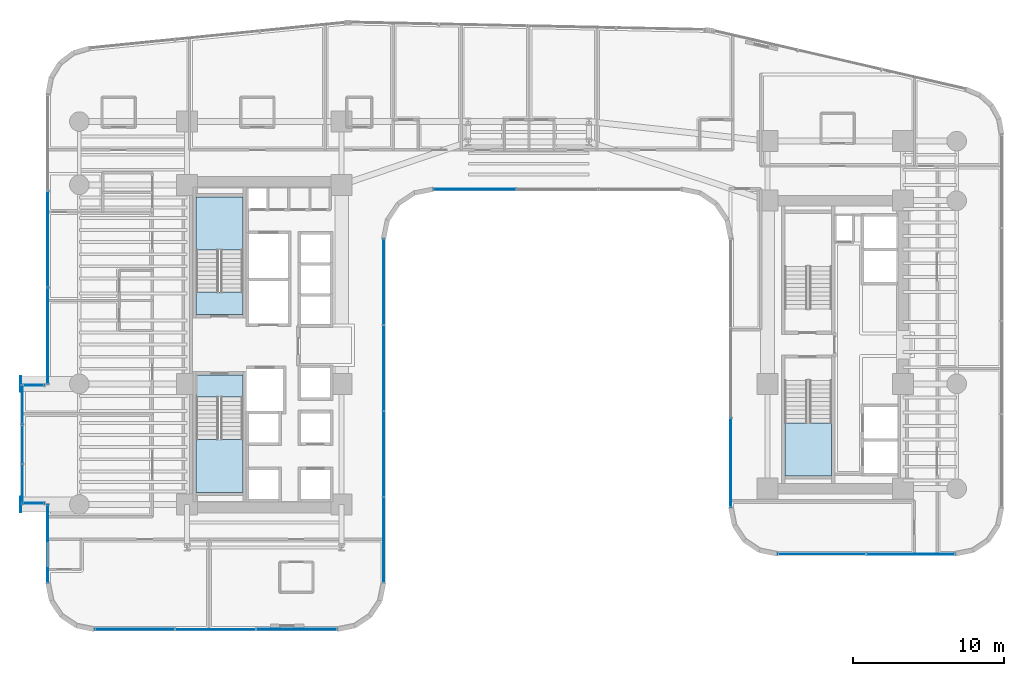
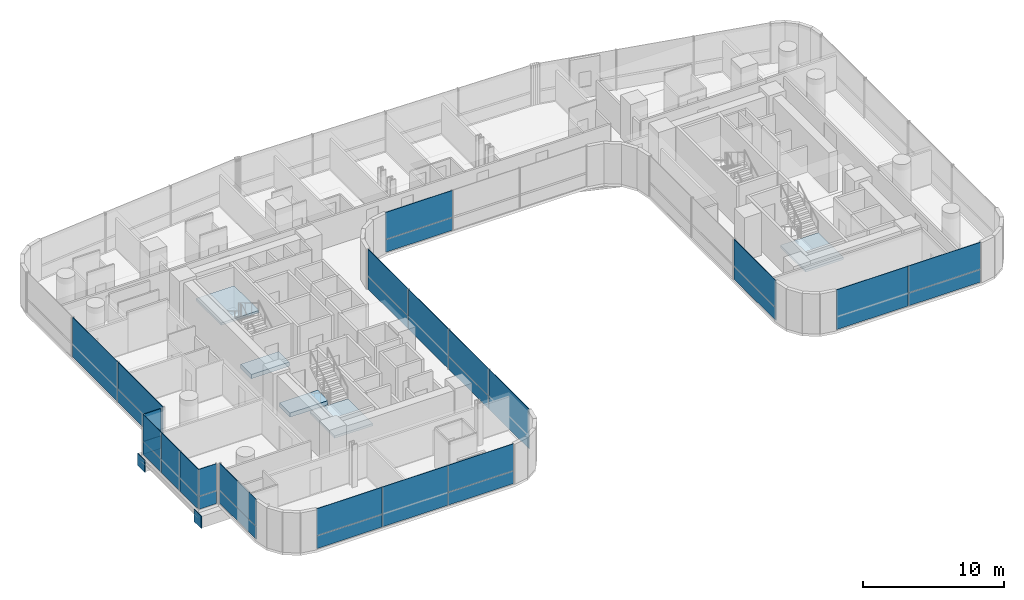
# One storey, part 28 of 40: 34 plates, 5 slabs, 13 elements without a shape of their own.
"""IFC4 building model written with IfcOpenShell, lengths in metres."""

from ifc_helpers import new_model, si_unit, direction, frame, origin, origin_2d, place, context, subcontext, project, spatial, polyline, rectangle, outline, extrude, source, transform, mapped, material, layer, layer_set, type_object, element, aggregate, save


model = new_model("IFC4")

# Units and contexts
model_context = context("Model", 3, precision=1e-05, world=origin(), true_north=direction((0.0, 1.0)))
body_context = subcontext(model_context, "Body", "Model", "MODEL_VIEW")
ifc_project = project(units=[si_unit("LENGTHUNIT", "METRE"), si_unit("AREAUNIT", "SQUARE_METRE"), si_unit("VOLUMEUNIT", "CUBIC_METRE"), si_unit("PLANEANGLEUNIT", "RADIAN"), si_unit("MASSUNIT", "GRAM", prefix="KILO")], contexts=[model_context])

# Site, building, storey
site_placement = place(None, origin())
site = spatial("IfcSite", under=ifc_project, at=site_placement, CompositionType="ELEMENT")
building_placement = place(site_placement, origin())
building = spatial("IfcBuilding", under=site, at=building_placement, Name="Valdorenza Pilgrim Sanctuary Tower", CompositionType="ELEMENT")
storey_placement = place(building_placement, frame((0.0, 0.0, 92.60009765625)))
storey = spatial("IfcBuildingStorey", under=building, at=storey_placement, Name="L23", CompositionType="ELEMENT", Elevation=92.60009765625)

# Stair, slab
ifc_material_1 = material(Name="Concrete C40/50", Category="concrete")
stair_type = type_object("IfcStairType", Name="STR-DOG-CORE", PredefinedType="HALF_TURN_STAIR", material=ifc_material_1)
stair_1_placement = place(storey_placement, origin())
stair_1 = element("IfcStair", 1, at=stair_1_placement, inside=storey, type_object=stair_type, Name="L23 ST-A1", PredefinedType="HALF_TURN_STAIR")
ifc_layer_1 = layer(ifc_material_1, 0.199951171875, Name="Concrete C40/50")
ifc_layer_set_1 = layer_set([ifc_layer_1], Name="Concrete C40/50")
slab_type_1 = type_object("IfcSlabType", Name="SLAB-STL-200", PredefinedType="LANDING", material=ifc_layer_set_1)
slab_1_placement = place(storey_placement, frame((0.0, 0.0, 1.64990234375)))
slab_1 = element("IfcSlab", 2, at=slab_1_placement, type_object=slab_type_1, Name="ST-A1 landing 1", PredefinedType="LANDING", context=body_context, shape_type="SweptSolid", body=[
    extrude(outline(polyline([(-18.93994140625, 6.280029296875), (-18.93994140625, 9.800048828125), (-22.050048828125, 9.800048828125), (-22.050048828125, 6.280029296875), (-18.93994140625, 6.280029296875)])), origin(), (0.0, 0.0, 1.0), 0.199951171875),
])
aggregate(stair_1, [slab_1])

stair_2_placement = place(storey_placement, origin())
stair_2 = element("IfcStair", 3, at=stair_2_placement, inside=storey, type_object=stair_type, Name="L23 ST-A2", PredefinedType="HALF_TURN_STAIR")
slab_2_placement = place(storey_placement, frame((0.0, 0.0, 1.64990234375)))
slab_2 = element("IfcSlab", 4, at=slab_2_placement, type_object=slab_type_1, Name="ST-A2 landing 1", PredefinedType="LANDING", context=body_context, shape_type="SweptSolid", body=[
    extrude(outline(polyline([(-22.050048828125, -6.280029296875), (-22.050048828125, -9.800048828125), (-18.93994140625, -9.800048828125), (-18.93994140625, -6.280029296875), (-22.050048828125, -6.280029296875)])), origin(), (0.0, 0.0, 1.0), 0.199951171875),
])
aggregate(stair_2, [slab_2])

stair_3_placement = place(storey_placement, origin())
stair_3 = element("IfcStair", 5, at=stair_3_placement, inside=storey, type_object=stair_type, Name="L23 ST-B2", PredefinedType="HALF_TURN_STAIR")
slab_3_placement = place(storey_placement, frame((0.0, 0.0, 1.64990234375)))
slab_3 = element("IfcSlab", 6, at=slab_3_placement, type_object=slab_type_1, Name="ST-B2 landing 1", PredefinedType="LANDING", context=body_context, shape_type="SweptSolid", body=[
    extrude(outline(polyline([(17.0, -5.179931640625), (17.0, -8.699951171875), (20.110107421875, -8.699951171875), (20.110107421875, -5.179931640625), (17.0, -5.179931640625)])), origin(), (0.0, 0.0, 1.0), 0.199951171875),
])
aggregate(stair_3, [slab_3])

# Slabs
ifc_material_2 = material(Name="Concrete C50/60", Category="concrete")
ifc_layer_2 = layer(ifc_material_2, 0.39990234375, Name="Concrete C50/60")
ifc_layer_set_2 = layer_set([ifc_layer_2], Name="Concrete C50/60")
slab_type_2 = type_object("IfcSlabType", Name="SLAB-TRF-400", PredefinedType="FLOOR", material=ifc_layer_set_2)
slab_4_placement = place(storey_placement, frame((0.0, 0.0, -0.360107421875)))
element("IfcSlab", 7, at=slab_4_placement, inside=storey, type_object=slab_type_2, Name="L23 ST-A1 Structural Stair Landing Bearing Slab", PredefinedType="FLOOR", context=body_context, shape_type="SweptSolid", body=[
    extrude(outline(polyline([(-22.050048828125, 2.0), (-18.93994140625, 2.0), (-18.93994140625, 3.485107421875), (-22.050048828125, 3.485107421875), (-22.050048828125, 2.0)])), origin(), (0.0, 0.0, 1.0), 0.360107421875),
])
slab_5_placement = place(storey_placement, frame((0.0, 0.0, -0.360107421875)))
element("IfcSlab", 8, at=slab_5_placement, inside=storey, type_object=slab_type_2, Name="L23 ST-A2 Structural Stair Landing Bearing Slab", PredefinedType="FLOOR", context=body_context, shape_type="SweptSolid", body=[
    extrude(outline(polyline([(-22.050048828125, -3.485107421875), (-18.93994140625, -3.485107421875), (-18.93994140625, -2.0), (-22.050048828125, -2.0), (-22.050048828125, -3.485107421875)])), origin(), (0.0, 0.0, 1.0), 0.360107421875),
])

# Plates
ifc_material_3 = material(Name="Steel ASTM A572 Grade 42", Category="steel")
ifc_layer_3 = layer(ifc_material_3, 0.06005859375, Name="Steel ASTM A572 Grade 42")
ifc_layer_set_3 = layer_set([ifc_layer_3], Name="Steel ASTM A572 Grade 42")
plate_type_1 = type_object("IfcPlateType", Name="PLT-CAP-60", PredefinedType="SHEET", material=ifc_layer_set_3)
shared_shape_1 = source(origin(), body_context, "Body", "SweptSolid", [
    extrude(rectangle(XDim=0.06005859375, YDim=1.0400390625, at=origin_2d()), origin(), (0.0, 0.0, 1.0), 1.0400390625),
])
for number, where, z_axis, x_axis, name in (
    (9, (-33.679931640625, -2.60009765625, -1.260009765625), (0.0, 0.0, 1.0), (1.0, 0.0, 0.0), "L23 BOX-WA-L23 Cantilever Tip End Cap N"),
    (10, (-33.679931640625, -10.60009765625, -1.260009765625), (0.0, 0.0, 1.0), (1.0, 0.0, 0.0), "L23 BOX-WA-L23 Cantilever Tip End Cap S"),
):
    element("IfcPlate", number, at=place(storey_placement, frame(where, z_axis=z_axis, x_axis=x_axis)), inside=storey, type_object=plate_type_1, Name=name, PredefinedType="SHEET", context=body_context, shape_type="MappedRepresentation", body=[
        mapped(shared_shape_1, transform((0.0, 0.0, 0.0), x_axis=(1.0, 0.0, 0.0), y_axis=(0.0, 1.0, 0.0), z_axis=(0.0, 0.0, 1.0), scale=1.0)),
    ])

# Curtain wall, plates
ifc_material_4 = material(Name="Curtain-wall IGU glazing", Category="glass")
curtain_wall_type_1 = type_object("IfcCurtainWallType", Name="CW-SYS-02", PredefinedType="NOTDEFINED", material=ifc_material_4)
curtain_wall_1_placement = place(storey_placement, origin())
curtain_wall_1 = element("IfcCurtainWall", 11, at=curtain_wall_1_placement, inside=storey, type_object=curtain_wall_type_1, Name="L23 Curtain Wall CW-L23-1-1S1", PredefinedType="NOTDEFINED")
ifc_material_5 = material(Name="Honed travertine limestone", Category="masonry")
ifc_layer_4 = layer(ifc_material_5, 0.050048828125, Name="Honed travertine limestone")
ifc_layer_set_4 = layer_set([ifc_layer_4], Name="Honed travertine limestone")
plate_type_2 = type_object("IfcPlateType", Name="CW-SPN-TRV", PredefinedType="USERDEFINED", material=ifc_layer_set_4)
shared_shape_2 = source(origin(), body_context, "Body", "SweptSolid", [
    extrude(rectangle(XDim=5.169189453125, YDim=0.06005859375, at=origin_2d()), origin(), (0.0, 0.0, 1.0), 1.10009765625),
])
plate_1_placement = place(storey_placement, frame((-31.889892578125, -13.194580078125, 0.009765625), z_axis=(0.0, 0.0, 1.0), x_axis=(0.0, 1.0, 0.0)))
plate_1 = element("IfcPlate", 12, at=plate_1_placement, type_object=plate_type_2, Name="CW-L23-1-1S1 Travertine Spandrel 1", ObjectType="SPANDREL", PredefinedType="USERDEFINED", context=body_context, shape_type="MappedRepresentation", body=[
    mapped(shared_shape_2, transform((0.0, 0.0, 0.0), x_axis=(1.0, 0.0, 0.0), y_axis=(0.0, 1.0, 0.0), z_axis=(0.0, 0.0, 1.0), scale=1.0)),
])
ifc_material_6 = material(Name="Ceramic-fritted low-E IGU glazing", Category="glass")
ifc_layer_5 = layer(ifc_material_6, 0.035888671875, Name="Ceramic-fritted low-E IGU glazing")
ifc_layer_set_5 = layer_set([ifc_layer_5], Name="Ceramic-fritted low-E IGU glazing")
plate_type_3 = type_object("IfcPlateType", Name="CW-GLZ-IGU", PredefinedType="USERDEFINED", material=ifc_layer_set_5)
shared_shape_3 = source(origin(), body_context, "Body", "SweptSolid", [
    extrude(rectangle(XDim=5.169189453125, YDim=0.050048828125, at=origin_2d()), origin(), (0.0, 0.0, 1.0), 2.320068359375),
])
plate_2_placement = place(storey_placement, frame((-31.889892578125, -13.194580078125, 1.1298828125), z_axis=(0.0, 0.0, 1.0), x_axis=(0.0, 1.0, 0.0)))
plate_2 = element("IfcPlate", 13, at=plate_2_placement, type_object=plate_type_3, Name="CW-L23-1-1S1 Facade Panel 1", ObjectType="GLAZING", PredefinedType="USERDEFINED", context=body_context, shape_type="MappedRepresentation", body=[
    mapped(shared_shape_3, transform((0.0, 0.0, 0.0), x_axis=(1.0, 0.0, 0.0), y_axis=(0.0, 1.0, 0.0), z_axis=(0.0, 0.0, 1.0), scale=1.0)),
])
aggregate(curtain_wall_1, [plate_1, plate_2])

curtain_wall_2_placement = place(storey_placement, origin())
curtain_wall_2 = element("IfcCurtainWall", 14, at=curtain_wall_2_placement, inside=storey, type_object=curtain_wall_type_1, Name="L23 Curtain Wall CW-L23-1-1S2", PredefinedType="NOTDEFINED")
shared_shape_4 = source(origin(), body_context, "Body", "SweptSolid", [
    extrude(rectangle(XDim=6.3779296875, YDim=0.06005859375, at=origin_2d()), origin(), (0.0, 0.0, 1.0), 1.10009765625),
])
plate_3_placement = place(storey_placement, frame((-31.889892578125, 0.59912109375, 0.009765625), z_axis=(0.0, 0.0, 1.0), x_axis=(0.0, 1.0, 0.0)))
plate_3 = element("IfcPlate", 15, at=plate_3_placement, type_object=plate_type_2, Name="CW-L23-1-1S2 Travertine Spandrel 1", ObjectType="SPANDREL", PredefinedType="USERDEFINED", context=body_context, shape_type="MappedRepresentation", body=[
    mapped(shared_shape_4, transform((0.0, 0.0, 0.0), x_axis=(1.0, 0.0, 0.0), y_axis=(0.0, 1.0, 0.0), z_axis=(0.0, 0.0, 1.0), scale=1.0)),
])
shared_shape_5 = source(origin(), body_context, "Body", "SweptSolid", [
    extrude(rectangle(XDim=6.3779296875, YDim=0.050048828125, at=origin_2d()), origin(), (0.0, 0.0, 1.0), 2.320068359375),
])
plate_4_placement = place(storey_placement, frame((-31.889892578125, 0.59912109375, 1.1298828125), z_axis=(0.0, 0.0, 1.0), x_axis=(0.0, 1.0, 0.0)))
plate_4 = element("IfcPlate", 16, at=plate_4_placement, type_object=plate_type_3, Name="CW-L23-1-1S2 Facade Panel 1", ObjectType="GLAZING", PredefinedType="USERDEFINED", context=body_context, shape_type="MappedRepresentation", body=[
    mapped(shared_shape_5, transform((0.0, 0.0, 0.0), x_axis=(1.0, 0.0, 0.0), y_axis=(0.0, 1.0, 0.0), z_axis=(0.0, 0.0, 1.0), scale=1.0)),
])
shared_shape_6 = source(origin(), body_context, "Body", "SweptSolid", [
    extrude(rectangle(XDim=6.3779296875, YDim=0.050048828125, at=origin_2d()), origin(), (0.0, 0.0, 1.0), 3.43994140625),
])
plate_5_placement = place(storey_placement, frame((-31.889892578125, 6.9970703125, 0.010009765625), z_axis=(0.0, 0.0, 1.0), x_axis=(0.0, 1.0, 0.0)))
plate_5 = element("IfcPlate", 17, at=plate_5_placement, type_object=plate_type_3, Name="CW-L23-1-1S2 Full-Height Facade Panel 2", ObjectType="GLAZING", PredefinedType="USERDEFINED", context=body_context, shape_type="MappedRepresentation", body=[
    mapped(shared_shape_6, transform((0.0, 0.0, 0.0), x_axis=(1.0, 0.0, 0.0), y_axis=(0.0, 1.0, 0.0), z_axis=(0.0, 0.0, 1.0), scale=1.0)),
])
aggregate(curtain_wall_2, [plate_3, plate_4, plate_5])

curtain_wall_type_2 = type_object("IfcCurtainWallType", Name="CW-SYS-03", PredefinedType="NOTDEFINED", material=ifc_material_4)
curtain_wall_3_placement = place(storey_placement, origin())
curtain_wall_3 = element("IfcCurtainWall", 18, at=curtain_wall_3_placement, inside=storey, type_object=curtain_wall_type_2, Name="L23 Curtain Wall CW-L23-1-26", PredefinedType="NOTDEFINED")
shared_shape_7 = source(origin(), body_context, "Body", "SweptSolid", [
    extrude(rectangle(XDim=5.869140625, YDim=0.06005859375, at=origin_2d()), origin(), (0.0, 0.0, 1.0), 1.10009765625),
])
plate_6_placement = place(storey_placement, frame((25.344482421875, -13.889892578125, 0.009765625), z_axis=(0.0, 0.0, 1.0), x_axis=(-1.0, 0.0, 0.0)))
plate_6 = element("IfcPlate", 19, at=plate_6_placement, type_object=plate_type_2, Name="CW-L23-1-26 Travertine Spandrel 1", ObjectType="SPANDREL", PredefinedType="USERDEFINED", context=body_context, shape_type="MappedRepresentation", body=[
    mapped(shared_shape_7, transform((0.0, 0.0, 0.0), x_axis=(1.0, 0.0, 0.0), y_axis=(0.0, 1.0, 0.0), z_axis=(0.0, 0.0, 1.0), scale=1.0)),
])
shared_shape_8 = source(origin(), body_context, "Body", "SweptSolid", [
    extrude(rectangle(XDim=5.869140625, YDim=0.050048828125, at=origin_2d()), origin(), (0.0, 0.0, 1.0), 2.320068359375),
])
plate_7_placement = place(storey_placement, frame((25.344482421875, -13.889892578125, 1.1298828125), z_axis=(0.0, 0.0, 1.0), x_axis=(-1.0, 0.0, 0.0)))
plate_7 = element("IfcPlate", 20, at=plate_7_placement, type_object=plate_type_3, Name="CW-L23-1-26 Facade Panel 1", ObjectType="GLAZING", PredefinedType="USERDEFINED", context=body_context, shape_type="MappedRepresentation", body=[
    mapped(shared_shape_8, transform((0.0, 0.0, 0.0), x_axis=(1.0, 0.0, 0.0), y_axis=(0.0, 1.0, 0.0), z_axis=(0.0, 0.0, 1.0), scale=1.0)),
])
shared_shape_9 = source(origin(), body_context, "Body", "SweptSolid", [
    extrude(rectangle(XDim=5.869140625, YDim=0.050048828125, at=origin_2d()), origin(), (0.0, 0.0, 1.0), 3.43994140625),
])
plate_8_placement = place(storey_placement, frame((19.455322265625, -13.889892578125, 0.010009765625), z_axis=(0.0, 0.0, 1.0), x_axis=(-1.0, 0.0, 0.0)))
plate_8 = element("IfcPlate", 21, at=plate_8_placement, type_object=plate_type_3, Name="CW-L23-1-26 Full-Height Facade Panel 2", ObjectType="GLAZING", PredefinedType="USERDEFINED", context=body_context, shape_type="MappedRepresentation", body=[
    mapped(shared_shape_9, transform((0.0, 0.0, 0.0), x_axis=(1.0, 0.0, 0.0), y_axis=(0.0, 1.0, 0.0), z_axis=(0.0, 0.0, 1.0), scale=1.0)),
])
aggregate(curtain_wall_3, [plate_6, plate_7, plate_8])

curtain_wall_4_placement = place(storey_placement, origin())
curtain_wall_4 = element("IfcCurtainWall", 22, at=curtain_wall_4_placement, inside=storey, type_object=curtain_wall_type_2, Name="L23 Curtain Wall CW-L23-1-31", PredefinedType="NOTDEFINED")
shared_shape_10 = source(origin(), body_context, "Body", "SweptSolid", [
    extrude(rectangle(XDim=5.913330078125, YDim=0.06005859375, at=origin_2d()), origin(), (0.0, 0.0, 1.0), 1.10009765625),
])
plate_9_placement = place(storey_placement, frame((13.409912109375, -7.822509765625, 0.009765625), z_axis=(0.0, 0.0, 1.0), x_axis=(0.0, 1.0, 0.0)))
plate_9 = element("IfcPlate", 23, at=plate_9_placement, type_object=plate_type_2, Name="CW-L23-1-31 Travertine Spandrel 1", ObjectType="SPANDREL", PredefinedType="USERDEFINED", context=body_context, shape_type="MappedRepresentation", body=[
    mapped(shared_shape_10, transform((0.0, 0.0, 0.0), x_axis=(1.0, 0.0, 0.0), y_axis=(0.0, 1.0, 0.0), z_axis=(0.0, 0.0, 1.0), scale=1.0)),
])
shared_shape_11 = source(origin(), body_context, "Body", "SweptSolid", [
    extrude(rectangle(XDim=5.913330078125, YDim=0.050048828125, at=origin_2d()), origin(), (0.0, 0.0, 1.0), 2.320068359375),
])
plate_10_placement = place(storey_placement, frame((13.409912109375, -7.822509765625, 1.1298828125), z_axis=(0.0, 0.0, 1.0), x_axis=(0.0, 1.0, 0.0)))
plate_10 = element("IfcPlate", 24, at=plate_10_placement, type_object=plate_type_3, Name="CW-L23-1-31 Facade Panel 1", ObjectType="GLAZING", PredefinedType="USERDEFINED", context=body_context, shape_type="MappedRepresentation", body=[
    mapped(shared_shape_11, transform((0.0, 0.0, 0.0), x_axis=(1.0, 0.0, 0.0), y_axis=(0.0, 1.0, 0.0), z_axis=(0.0, 0.0, 1.0), scale=1.0)),
])
aggregate(curtain_wall_4, [plate_9, plate_10])

curtain_wall_5_placement = place(storey_placement, origin())
curtain_wall_5 = element("IfcCurtainWall", 25, at=curtain_wall_5_placement, inside=storey, type_object=curtain_wall_type_1, Name="L23 Curtain Wall CW-L23-1-36", PredefinedType="NOTDEFINED")
shared_shape_12 = source(origin(), body_context, "Body", "SweptSolid", [
    extrude(rectangle(XDim=5.453857421875, YDim=0.06005859375, at=origin_2d()), origin(), (0.0, 0.0, 1.0), 1.10009765625),
])
plate_11_placement = place(storey_placement, frame((-3.573974609375, 10.31005859375, 0.009765625), z_axis=(0.0, 0.0, 1.0), x_axis=(-1.0, 0.0, 0.0)))
plate_11 = element("IfcPlate", 26, at=plate_11_placement, type_object=plate_type_2, Name="CW-L23-1-36 Travertine Spandrel 3", ObjectType="SPANDREL", PredefinedType="USERDEFINED", context=body_context, shape_type="MappedRepresentation", body=[
    mapped(shared_shape_12, transform((0.0, 0.0, 0.0), x_axis=(1.0, 0.0, 0.0), y_axis=(0.0, 1.0, 0.0), z_axis=(0.0, 0.0, 1.0), scale=1.0)),
])
shared_shape_13 = source(origin(), body_context, "Body", "SweptSolid", [
    extrude(rectangle(XDim=5.453857421875, YDim=0.050048828125, at=origin_2d()), origin(), (0.0, 0.0, 1.0), 2.320068359375),
])
plate_12_placement = place(storey_placement, frame((-3.573974609375, 10.31005859375, 1.1298828125), z_axis=(0.0, 0.0, 1.0), x_axis=(-1.0, 0.0, 0.0)))
plate_12 = element("IfcPlate", 27, at=plate_12_placement, type_object=plate_type_3, Name="CW-L23-1-36 Facade Panel 3", ObjectType="GLAZING", PredefinedType="USERDEFINED", context=body_context, shape_type="MappedRepresentation", body=[
    mapped(shared_shape_13, transform((0.0, 0.0, 0.0), x_axis=(1.0, 0.0, 0.0), y_axis=(0.0, 1.0, 0.0), z_axis=(0.0, 0.0, 1.0), scale=1.0)),
])
aggregate(curtain_wall_5, [plate_11, plate_12])

curtain_wall_6_placement = place(storey_placement, origin())
curtain_wall_6 = element("IfcCurtainWall", 28, at=curtain_wall_6_placement, inside=storey, type_object=curtain_wall_type_1, Name="L23 Curtain Wall CW-L23-1-41", PredefinedType="NOTDEFINED")
shared_shape_14 = source(origin(), body_context, "Body", "SweptSolid", [
    extrude(rectangle(XDim=5.679931640625, YDim=0.06005859375, at=origin_2d()), origin(), (0.0, 0.0, 1.0), 1.10009765625),
])
plate_13_placement = place(storey_placement, frame((-9.610107421875, 4.160888671875, 0.009765625), z_axis=(0.0, 0.0, 1.0), x_axis=(0.0, -1.0, 0.0)))
plate_13 = element("IfcPlate", 29, at=plate_13_placement, type_object=plate_type_2, Name="CW-L23-1-41 Travertine Spandrel 1", ObjectType="SPANDREL", PredefinedType="USERDEFINED", context=body_context, shape_type="MappedRepresentation", body=[
    mapped(shared_shape_14, transform((0.0, 0.0, 0.0), x_axis=(1.0, 0.0, 0.0), y_axis=(0.0, 1.0, 0.0), z_axis=(0.0, 0.0, 1.0), scale=1.0)),
])
plate_14_placement = place(storey_placement, frame((-9.610107421875, -7.2392578125, 0.009765625), z_axis=(0.0, 0.0, 1.0), x_axis=(0.0, -1.0, 0.0)))
plate_14 = element("IfcPlate", 30, at=plate_14_placement, type_object=plate_type_2, Name="CW-L23-1-41 Travertine Spandrel 3", ObjectType="SPANDREL", PredefinedType="USERDEFINED", context=body_context, shape_type="MappedRepresentation", body=[
    mapped(shared_shape_14, transform((0.0, 0.0, 0.0), x_axis=(1.0, 0.0, 0.0), y_axis=(0.0, 1.0, 0.0), z_axis=(0.0, 0.0, 1.0), scale=1.0)),
])
shared_shape_15 = source(origin(), body_context, "Body", "SweptSolid", [
    extrude(rectangle(XDim=5.679931640625, YDim=0.050048828125, at=origin_2d()), origin(), (0.0, 0.0, 1.0), 2.320068359375),
])
plate_15_placement = place(storey_placement, frame((-9.610107421875, 4.160888671875, 1.1298828125), z_axis=(0.0, 0.0, 1.0), x_axis=(0.0, -1.0, 0.0)))
plate_15 = element("IfcPlate", 31, at=plate_15_placement, type_object=plate_type_3, Name="CW-L23-1-41 Facade Panel 1", ObjectType="GLAZING", PredefinedType="USERDEFINED", context=body_context, shape_type="MappedRepresentation", body=[
    mapped(shared_shape_15, transform((0.0, 0.0, 0.0), x_axis=(1.0, 0.0, 0.0), y_axis=(0.0, 1.0, 0.0), z_axis=(0.0, 0.0, 1.0), scale=1.0)),
])
plate_16_placement = place(storey_placement, frame((-9.610107421875, -7.2392578125, 1.1298828125), z_axis=(0.0, 0.0, 1.0), x_axis=(0.0, -1.0, 0.0)))
plate_16 = element("IfcPlate", 32, at=plate_16_placement, type_object=plate_type_3, Name="CW-L23-1-41 Facade Panel 3", ObjectType="GLAZING", PredefinedType="USERDEFINED", context=body_context, shape_type="MappedRepresentation", body=[
    mapped(shared_shape_15, transform((0.0, 0.0, 0.0), x_axis=(1.0, 0.0, 0.0), y_axis=(0.0, 1.0, 0.0), z_axis=(0.0, 0.0, 1.0), scale=1.0)),
])
shared_shape_16 = source(origin(), body_context, "Body", "SweptSolid", [
    extrude(rectangle(XDim=5.679931640625, YDim=0.050048828125, at=origin_2d()), origin(), (0.0, 0.0, 1.0), 3.43994140625),
])
plate_17_placement = place(storey_placement, frame((-9.610107421875, -1.539306640625, 0.010009765625), z_axis=(0.0, 0.0, 1.0), x_axis=(0.0, -1.0, 0.0)))
plate_17 = element("IfcPlate", 33, at=plate_17_placement, type_object=plate_type_3, Name="CW-L23-1-41 Full-Height Facade Panel 2", ObjectType="GLAZING", PredefinedType="USERDEFINED", context=body_context, shape_type="MappedRepresentation", body=[
    mapped(shared_shape_16, transform((0.0, 0.0, 0.0), x_axis=(1.0, 0.0, 0.0), y_axis=(0.0, 1.0, 0.0), z_axis=(0.0, 0.0, 1.0), scale=1.0)),
])
plate_18_placement = place(storey_placement, frame((-9.610107421875, -12.939208984375, 0.010009765625), z_axis=(0.0, 0.0, 1.0), x_axis=(0.0, -1.0, 0.0)))
plate_18 = element("IfcPlate", 34, at=plate_18_placement, type_object=plate_type_3, Name="CW-L23-1-41 Full-Height Facade Panel 4", ObjectType="GLAZING", PredefinedType="USERDEFINED", context=body_context, shape_type="MappedRepresentation", body=[
    mapped(shared_shape_16, transform((0.0, 0.0, 0.0), x_axis=(1.0, 0.0, 0.0), y_axis=(0.0, 1.0, 0.0), z_axis=(0.0, 0.0, 1.0), scale=1.0)),
])
aggregate(curtain_wall_6, [plate_13, plate_15, plate_17, plate_14, plate_16, plate_18])

curtain_wall_7_placement = place(storey_placement, origin())
curtain_wall_7 = element("IfcCurtainWall", 35, at=curtain_wall_7_placement, inside=storey, type_object=curtain_wall_type_1, Name="L23 Curtain Wall CW-L23-1-46", PredefinedType="NOTDEFINED")
shared_shape_17 = source(origin(), body_context, "Body", "SweptSolid", [
    extrude(rectangle(XDim=5.339599609375, YDim=0.06005859375, at=origin_2d()), origin(), (0.0, 0.0, 1.0), 1.10009765625),
])
plate_19_placement = place(storey_placement, frame((-15.390380859375, -18.889892578125, 0.009765625), z_axis=(0.0, 0.0, 1.0), x_axis=(-1.0, 0.0, 0.0)))
plate_19 = element("IfcPlate", 36, at=plate_19_placement, type_object=plate_type_2, Name="CW-L23-1-46 Travertine Spandrel 1", ObjectType="SPANDREL", PredefinedType="USERDEFINED", context=body_context, shape_type="MappedRepresentation", body=[
    mapped(shared_shape_17, transform((0.0, 0.0, 0.0), x_axis=(1.0, 0.0, 0.0), y_axis=(0.0, 1.0, 0.0), z_axis=(0.0, 0.0, 1.0), scale=1.0)),
])
plate_20_placement = place(storey_placement, frame((-26.109619140625, -18.889892578125, 0.009765625), z_axis=(0.0, 0.0, 1.0), x_axis=(-1.0, 0.0, 0.0)))
plate_20 = element("IfcPlate", 37, at=plate_20_placement, type_object=plate_type_2, Name="CW-L23-1-46 Travertine Spandrel 3", ObjectType="SPANDREL", PredefinedType="USERDEFINED", context=body_context, shape_type="MappedRepresentation", body=[
    mapped(shared_shape_17, transform((0.0, 0.0, 0.0), x_axis=(1.0, 0.0, 0.0), y_axis=(0.0, 1.0, 0.0), z_axis=(0.0, 0.0, 1.0), scale=1.0)),
])
shared_shape_18 = source(origin(), body_context, "Body", "SweptSolid", [
    extrude(rectangle(XDim=5.339599609375, YDim=0.050048828125, at=origin_2d()), origin(), (0.0, 0.0, 1.0), 2.320068359375),
])
plate_21_placement = place(storey_placement, frame((-15.390380859375, -18.889892578125, 1.1298828125), z_axis=(0.0, 0.0, 1.0), x_axis=(-1.0, 0.0, 0.0)))
plate_21 = element("IfcPlate", 38, at=plate_21_placement, type_object=plate_type_3, Name="CW-L23-1-46 Facade Panel 1", ObjectType="GLAZING", PredefinedType="USERDEFINED", context=body_context, shape_type="MappedRepresentation", body=[
    mapped(shared_shape_18, transform((0.0, 0.0, 0.0), x_axis=(1.0, 0.0, 0.0), y_axis=(0.0, 1.0, 0.0), z_axis=(0.0, 0.0, 1.0), scale=1.0)),
])
plate_22_placement = place(storey_placement, frame((-26.109619140625, -18.889892578125, 1.1298828125), z_axis=(0.0, 0.0, 1.0), x_axis=(-1.0, 0.0, 0.0)))
plate_22 = element("IfcPlate", 39, at=plate_22_placement, type_object=plate_type_3, Name="CW-L23-1-46 Facade Panel 3", ObjectType="GLAZING", PredefinedType="USERDEFINED", context=body_context, shape_type="MappedRepresentation", body=[
    mapped(shared_shape_18, transform((0.0, 0.0, 0.0), x_axis=(1.0, 0.0, 0.0), y_axis=(0.0, 1.0, 0.0), z_axis=(0.0, 0.0, 1.0), scale=1.0)),
])
shared_shape_19 = source(origin(), body_context, "Body", "SweptSolid", [
    extrude(rectangle(XDim=5.339599609375, YDim=0.050048828125, at=origin_2d()), origin(), (0.0, 0.0, 1.0), 3.43994140625),
])
plate_23_placement = place(storey_placement, frame((-20.75, -18.889892578125, 0.010009765625), z_axis=(0.0, 0.0, 1.0), x_axis=(-1.0, 0.0, 0.0)))
plate_23 = element("IfcPlate", 40, at=plate_23_placement, type_object=plate_type_3, Name="CW-L23-1-46 Full-Height Facade Panel 2", ObjectType="GLAZING", PredefinedType="USERDEFINED", context=body_context, shape_type="MappedRepresentation", body=[
    mapped(shared_shape_19, transform((0.0, 0.0, 0.0), x_axis=(1.0, 0.0, 0.0), y_axis=(0.0, 1.0, 0.0), z_axis=(0.0, 0.0, 1.0), scale=1.0)),
])
aggregate(curtain_wall_7, [plate_19, plate_21, plate_23, plate_20, plate_22])

# Curtain wall, plate
curtain_wall_8_placement = place(storey_placement, origin())
curtain_wall_8 = element("IfcCurtainWall", 41, at=curtain_wall_8_placement, inside=storey, type_object=curtain_wall_type_1, Name="L23 Curtain Wall CW-L23-BOX-WA-L23-S", PredefinedType="NOTDEFINED")
shared_shape_20 = source(origin(), body_context, "Body", "SweptSolid", [
    extrude(rectangle(XDim=1.43994140625, YDim=0.06005859375, at=origin_2d()), origin(), (0.0, 0.0, 1.0), 1.10009765625),
])
plate_24_placement = place(storey_placement, frame((-32.840087890625, -10.52001953125, 0.009765625), z_axis=(0.0, 0.0, 1.0), x_axis=(-1.0, 0.0, 0.0)))
plate_24 = element("IfcPlate", 42, at=plate_24_placement, type_object=plate_type_2, Name="CW-L23-BOX-WA-L23-S Travertine Spandrel 1", ObjectType="SPANDREL", PredefinedType="USERDEFINED", context=body_context, shape_type="MappedRepresentation", body=[
    mapped(shared_shape_20, transform((0.0, 0.0, 0.0), x_axis=(1.0, 0.0, 0.0), y_axis=(0.0, 1.0, 0.0), z_axis=(0.0, 0.0, 1.0), scale=1.0)),
])

curtain_wall_9_placement = place(storey_placement, origin())
curtain_wall_9 = element("IfcCurtainWall", 43, at=curtain_wall_9_placement, inside=storey, type_object=curtain_wall_type_1, Name="L23 Curtain Wall CW-L23-BOX-WA-L23-N", PredefinedType="NOTDEFINED")
plate_25_placement = place(storey_placement, frame((-32.840087890625, -2.679931640625, 0.009765625), z_axis=(0.0, 0.0, 1.0), x_axis=(1.0, 0.0, 0.0)))
plate_25 = element("IfcPlate", 44, at=plate_25_placement, type_object=plate_type_2, Name="CW-L23-BOX-WA-L23-N Travertine Spandrel 1", ObjectType="SPANDREL", PredefinedType="USERDEFINED", context=body_context, shape_type="MappedRepresentation", body=[
    mapped(shared_shape_20, transform((0.0, 0.0, 0.0), x_axis=(1.0, 0.0, 0.0), y_axis=(0.0, 1.0, 0.0), z_axis=(0.0, 0.0, 1.0), scale=1.0)),
])

# Plate
shared_shape_21 = source(origin(), body_context, "Body", "SweptSolid", [
    extrude(rectangle(XDim=1.43994140625, YDim=0.050048828125, at=origin_2d()), origin(), (0.0, 0.0, 1.0), 2.320068359375),
])
plate_26_placement = place(storey_placement, frame((-32.840087890625, -10.52001953125, 1.1298828125), z_axis=(0.0, 0.0, 1.0), x_axis=(-1.0, 0.0, 0.0)))
plate_26 = element("IfcPlate", 45, at=plate_26_placement, type_object=plate_type_3, Name="CW-L23-BOX-WA-L23-S Facade Panel 1", ObjectType="GLAZING", PredefinedType="USERDEFINED", context=body_context, shape_type="MappedRepresentation", body=[
    mapped(shared_shape_21, transform((0.0, 0.0, 0.0), x_axis=(1.0, 0.0, 0.0), y_axis=(0.0, 1.0, 0.0), z_axis=(0.0, 0.0, 1.0), scale=1.0)),
])

aggregate(curtain_wall_8, [plate_24, plate_26])

plate_27_placement = place(storey_placement, frame((-32.840087890625, -2.679931640625, 1.1298828125), z_axis=(0.0, 0.0, 1.0), x_axis=(1.0, 0.0, 0.0)))
plate_27 = element("IfcPlate", 46, at=plate_27_placement, type_object=plate_type_3, Name="CW-L23-BOX-WA-L23-N Facade Panel 1", ObjectType="GLAZING", PredefinedType="USERDEFINED", context=body_context, shape_type="MappedRepresentation", body=[
    mapped(shared_shape_21, transform((0.0, 0.0, 0.0), x_axis=(1.0, 0.0, 0.0), y_axis=(0.0, 1.0, 0.0), z_axis=(0.0, 0.0, 1.0), scale=1.0)),
])

aggregate(curtain_wall_9, [plate_25, plate_27])

# Curtain wall, plates
curtain_wall_10_placement = place(storey_placement, origin())
curtain_wall_10 = element("IfcCurtainWall", 47, at=curtain_wall_10_placement, inside=storey, type_object=curtain_wall_type_1, Name="L23 Curtain Wall CW-L23-BOX-WA-L23-F", PredefinedType="NOTDEFINED")
shared_shape_22 = source(origin(), body_context, "Body", "SweptSolid", [
    extrude(rectangle(XDim=2.59326171875, YDim=0.06005859375, at=origin_2d()), origin(), (0.0, 0.0, 1.0), 1.10009765625),
])
plate_28_placement = place(storey_placement, frame((-33.570068359375, -9.21337890625, 0.009765625), z_axis=(0.0, 0.0, 1.0), x_axis=(0.0, 1.0, 0.0)))
plate_28 = element("IfcPlate", 48, at=plate_28_placement, type_object=plate_type_2, Name="CW-L23-BOX-WA-L23-F Travertine Spandrel 1", ObjectType="SPANDREL", PredefinedType="USERDEFINED", context=body_context, shape_type="MappedRepresentation", body=[
    mapped(shared_shape_22, transform((0.0, 0.0, 0.0), x_axis=(1.0, 0.0, 0.0), y_axis=(0.0, 1.0, 0.0), z_axis=(0.0, 0.0, 1.0), scale=1.0)),
])
plate_29_placement = place(storey_placement, frame((-33.570068359375, -3.98681640625, 0.009765625), z_axis=(0.0, 0.0, 1.0), x_axis=(0.0, 1.0, 0.0)))
plate_29 = element("IfcPlate", 49, at=plate_29_placement, type_object=plate_type_2, Name="CW-L23-BOX-WA-L23-F Travertine Spandrel 3", ObjectType="SPANDREL", PredefinedType="USERDEFINED", context=body_context, shape_type="MappedRepresentation", body=[
    mapped(shared_shape_22, transform((0.0, 0.0, 0.0), x_axis=(1.0, 0.0, 0.0), y_axis=(0.0, 1.0, 0.0), z_axis=(0.0, 0.0, 1.0), scale=1.0)),
])
shared_shape_23 = source(origin(), body_context, "Body", "SweptSolid", [
    extrude(rectangle(XDim=2.59326171875, YDim=0.050048828125, at=origin_2d()), origin(), (0.0, 0.0, 1.0), 2.320068359375),
])
plate_30_placement = place(storey_placement, frame((-33.570068359375, -9.21337890625, 1.1298828125), z_axis=(0.0, 0.0, 1.0), x_axis=(0.0, 1.0, 0.0)))
plate_30 = element("IfcPlate", 50, at=plate_30_placement, type_object=plate_type_3, Name="CW-L23-BOX-WA-L23-F Facade Panel 1", ObjectType="GLAZING", PredefinedType="USERDEFINED", context=body_context, shape_type="MappedRepresentation", body=[
    mapped(shared_shape_23, transform((0.0, 0.0, 0.0), x_axis=(1.0, 0.0, 0.0), y_axis=(0.0, 1.0, 0.0), z_axis=(0.0, 0.0, 1.0), scale=1.0)),
])
plate_31_placement = place(storey_placement, frame((-33.570068359375, -3.98681640625, 1.1298828125), z_axis=(0.0, 0.0, 1.0), x_axis=(0.0, 1.0, 0.0)))
plate_31 = element("IfcPlate", 51, at=plate_31_placement, type_object=plate_type_3, Name="CW-L23-BOX-WA-L23-F Facade Panel 3", ObjectType="GLAZING", PredefinedType="USERDEFINED", context=body_context, shape_type="MappedRepresentation", body=[
    mapped(shared_shape_23, transform((0.0, 0.0, 0.0), x_axis=(1.0, 0.0, 0.0), y_axis=(0.0, 1.0, 0.0), z_axis=(0.0, 0.0, 1.0), scale=1.0)),
])
shared_shape_24 = source(origin(), body_context, "Body", "SweptSolid", [
    extrude(rectangle(XDim=2.59326171875, YDim=0.050048828125, at=origin_2d()), origin(), (0.0, 0.0, 1.0), 3.43994140625),
])
plate_32_placement = place(storey_placement, frame((-33.570068359375, -6.60009765625, 0.010009765625), z_axis=(0.0, 0.0, 1.0), x_axis=(0.0, 1.0, 0.0)))
plate_32 = element("IfcPlate", 52, at=plate_32_placement, type_object=plate_type_3, Name="CW-L23-BOX-WA-L23-F Full-Height Facade Panel 2", ObjectType="GLAZING", PredefinedType="USERDEFINED", context=body_context, shape_type="MappedRepresentation", body=[
    mapped(shared_shape_24, transform((0.0, 0.0, 0.0), x_axis=(1.0, 0.0, 0.0), y_axis=(0.0, 1.0, 0.0), z_axis=(0.0, 0.0, 1.0), scale=1.0)),
])
aggregate(curtain_wall_10, [plate_28, plate_30, plate_32, plate_29, plate_31])

save(model, "model.ifc")
